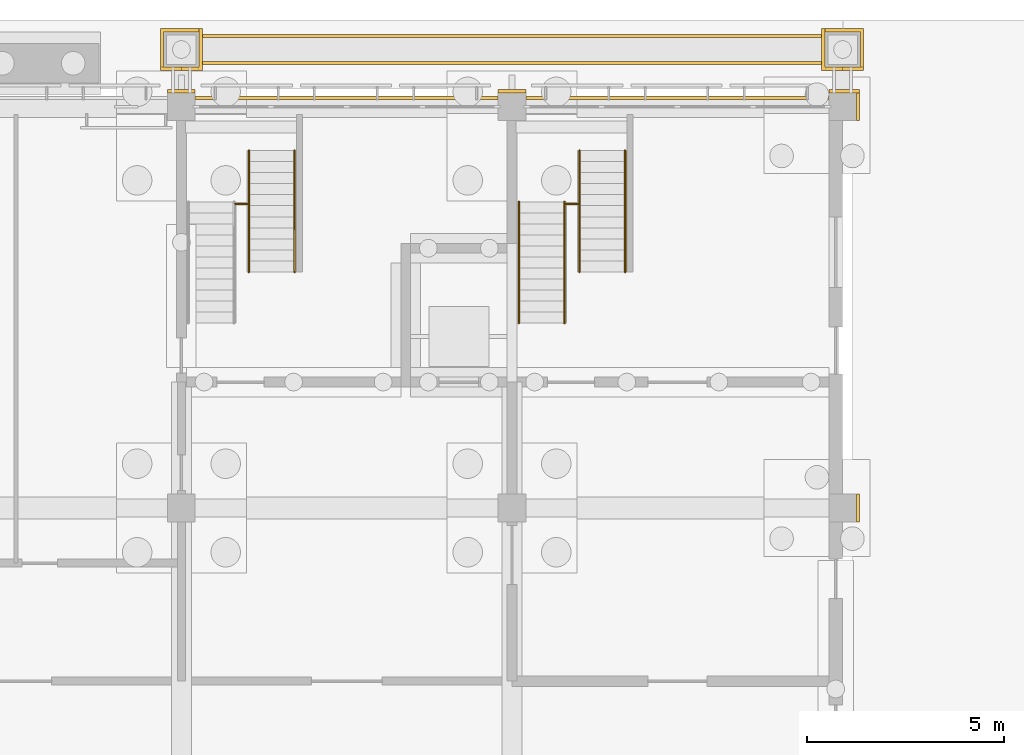
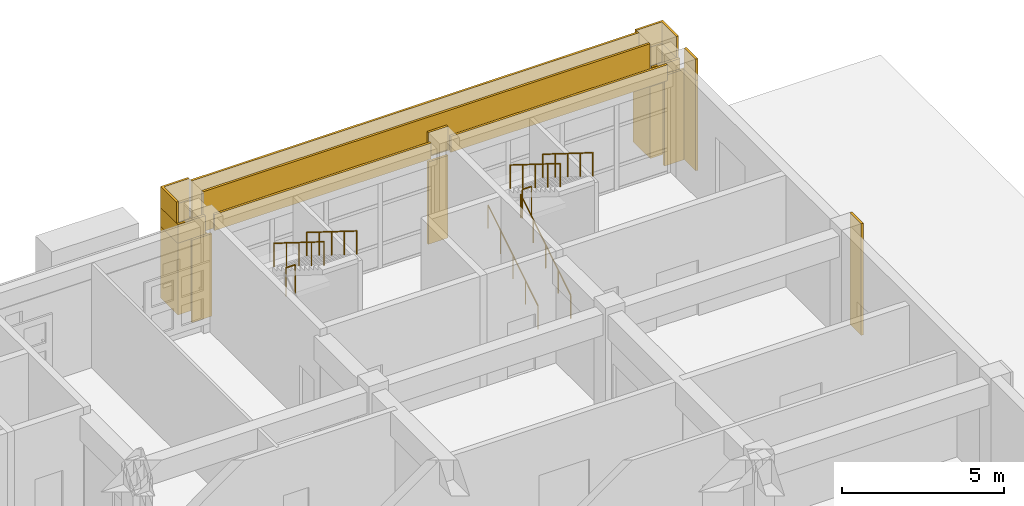
# One storey, part 106 of 112: 18 coverings, 8 railings.
"""IFC4 building model written with IfcOpenShell, lengths in metres."""

import ifcopenshell
import ifcopenshell.guid

model = None  # the IFC model being written
_history = None  # IfcOwnerHistory: only IFC2X3 demands one
_inside = {}  # id of a spatial element -> (the spatial element, [elements in it])
_under = {}  # id of a project, library or spatial element -> (it, [spatial elements below it])
_declared = {}  # id of a project -> (the project, [libraries it declares])
_typed = {}  # id of a type object -> (the type object, [elements of that type])
_made_of = {}  # id of a material, layer set ... -> (it, [elements and type objects made of it])


def new_model(schema):
    """Start an empty IFC model of exactly this schema.

    Asked for "IFC4X3", IfcOpenShell would pick the latest addendum, in which some entities
    have other attributes; the version numbers below select the first issue.
    IFC2X3 requires an IfcOwnerHistory on every rooted entity: one is made here for all.
    """
    global model, _history
    if schema == "IFC4X3":
        model = ifcopenshell.file(schema_version=(4, 3, 0, 0))
    else:
        model = ifcopenshell.file(schema=schema)
    _inside.clear()
    _under.clear()
    _declared.clear()
    _typed.clear()
    _made_of.clear()
    _history = None
    if model.schema == "IFC2X3":
        org = make("IfcOrganization", Name="unknown")
        user = make(
            "IfcPersonAndOrganization",
            ThePerson=make("IfcPerson", FamilyName="unknown"),
            TheOrganization=org,
        )
        app = make(
            "IfcApplication",
            ApplicationDeveloper=org,
            Version="unknown",
            ApplicationFullName="unknown",
            ApplicationIdentifier="unknown",
        )
        _history = make(
            "IfcOwnerHistory",
            OwningUser=user,
            OwningApplication=app,
            ChangeAction="ADDED",
            CreationDate=0,
        )
    return model


def make(cls, **values):
    """One entity of the class cls with the attributes given. An attribute that is None is left unset."""
    return model.create_entity(
        cls, **{name: value for name, value in values.items() if value is not None}
    )


def rooted(cls, **values):
    """An entity with a GlobalId (a new one), such as an element, a storey or a relation."""
    return make(cls, GlobalId=ifcopenshell.guid.new(), OwnerHistory=_history, **values)


def si_unit(unit_type, name, prefix=None):
    """IfcSIUnit, for example si_unit("LENGTHUNIT", "METRE", prefix="MILLI")."""
    return make("IfcSIUnit", UnitType=unit_type, Prefix=prefix, Name=name)


def assignment(units):
    """IfcUnitAssignment: the units of a project."""
    return None if units is None else make("IfcUnitAssignment", Units=units)


def point(xyz):
    """IfcCartesianPoint."""
    return None if xyz is None else make("IfcCartesianPoint", Coordinates=xyz)


def direction(xyz):
    """IfcDirection."""
    return None if xyz is None else make("IfcDirection", DirectionRatios=xyz)


def frame(location, z_axis=None, x_axis=None):
    """IfcAxis2Placement3D, a coordinate frame: its origin and axes. An axis left out is left unset."""
    return make(
        "IfcAxis2Placement3D",
        Location=point(location),
        Axis=direction(z_axis),
        RefDirection=direction(x_axis),
    )


def frame_2d(location, x_axis=None):
    """IfcAxis2Placement2D, a coordinate frame in the plane: its origin and x axis."""
    return make(
        "IfcAxis2Placement2D", Location=point(location), RefDirection=direction(x_axis)
    )


def origin():
    """The frame at (0, 0, 0) with its axes left unset."""
    return frame((0.0, 0.0, 0.0))


def origin_2d():
    """The frame at (0, 0) in the plane with its x axis left unset."""
    return frame_2d((0.0, 0.0))


def place(relative_to, where):
    """IfcLocalPlacement: puts the frame where relative to a parent placement (None: the world)."""
    return make(
        "IfcLocalPlacement", PlacementRelTo=relative_to, RelativePlacement=where
    )


def context(
    kind, dimensions, precision=None, world=None, true_north=None, identifier=None
):
    """IfcGeometricRepresentationContext, for example the 3D "Model" context."""
    return make(
        "IfcGeometricRepresentationContext",
        ContextIdentifier=identifier,
        ContextType=kind,
        CoordinateSpaceDimension=dimensions,
        Precision=precision,
        WorldCoordinateSystem=world,
        TrueNorth=true_north,
    )


def subcontext(parent, identifier, kind, view, scale=None):
    """IfcGeometricRepresentationSubContext, for example "Body" below "Model"."""
    return make(
        "IfcGeometricRepresentationSubContext",
        ContextIdentifier=identifier,
        ContextType=kind,
        ParentContext=parent,
        TargetScale=scale,
        TargetView=view,
    )


def project(units=None, contexts=None):
    """IfcProject with its units and contexts."""
    return rooted(
        "IfcProject",
        Name="project",
        RepresentationContexts=contexts,
        UnitsInContext=assignment(units),
    )


def spatial(cls, under=None, at=None, **own):
    """A site, building, storey or space (cls), placed at a placement, below another one or the project."""
    s = rooted(cls, ObjectPlacement=at, **own)
    if under is not None:
        _under.setdefault(under.id(), (under, []))[1].append(s)
    return s


def polyline(points):
    """IfcPolyline through the points."""
    return make("IfcPolyline", Points=[point(p) for p in points])


def profile(cls, at=None, kind="AREA", **sizes):
    """A parametric profile (cls). Its sizes go by their IFC names, for example OverallWidth=200.0."""
    return make(cls, ProfileType=kind, Position=at, **sizes)


def circle(**sizes):
    """IfcCircleProfileDef."""
    return profile("IfcCircleProfileDef", **sizes)


def outline(outer, holes=None, kind="AREA"):
    """IfcArbitraryClosedProfileDef: a profile drawn as a closed curve; with holes, ...WithVoids."""
    if holes is None:
        return make("IfcArbitraryClosedProfileDef", ProfileType=kind, OuterCurve=outer)
    return make(
        "IfcArbitraryProfileDefWithVoids",
        ProfileType=kind,
        OuterCurve=outer,
        InnerCurves=holes,
    )


def extrude(swept, where, along, depth):
    """IfcExtrudedAreaSolid: the profile swept, set in the frame where, extruded along a direction by depth."""
    return make(
        "IfcExtrudedAreaSolid",
        SweptArea=swept,
        Position=where,
        ExtrudedDirection=direction(along),
        Depth=depth,
    )


def shape(context_of_items, identifier, shape_type, items):
    """IfcShapeRepresentation: the items that make up one representation, for example the "Body"."""
    return make(
        "IfcShapeRepresentation",
        ContextOfItems=context_of_items,
        RepresentationIdentifier=identifier,
        RepresentationType=shape_type,
        Items=items,
    )


def material(Name=None, Category=None):
    """IfcMaterial."""
    return make("IfcMaterial", Name=Name, Category=Category)


def layer(
    of_material, thickness, ventilated=None, Name=None, Category=None, Priority=None
):
    """IfcMaterialLayer: one layer of a wall or slab, of a material (None: an air gap)."""
    return make(
        "IfcMaterialLayer",
        Material=of_material,
        LayerThickness=thickness,
        IsVentilated=ventilated,
        Name=Name,
        Category=Category,
        Priority=Priority,
    )


def layer_set(layers, Name=None):
    """IfcMaterialLayerSet."""
    return make("IfcMaterialLayerSet", MaterialLayers=layers, LayerSetName=Name)


def made_of(thing, what):
    """Note that an element or type object is made of a material, layer set ...; save() writes the relation."""
    if what is not None:
        _made_of.setdefault(what.id(), (what, []))[1].append(thing)
    return thing


def type_object(cls, material=None, **own):
    """A type object (cls), such as IfcWallType, which elements share."""
    return made_of(rooted(cls, **own), material)


def element(
    cls,
    number,
    at=None,
    inside=None,
    cuts=None,
    type_object=None,
    material=None,
    context=None,
    identifier="Body",
    shape_type=None,
    held_by="IfcProductDefinitionShape",
    body=None,
    shapes=None,
    **own,
):
    """One element of the class cls, such as IfcWall. Its Tag is "e" and its number.

    at: its placement. inside: the storey or other place that contains it. cuts: it is an
    opening in that element (IfcRelVoidsElement). A single representation is given by context,
    identifier, shape_type and body (its items); several are given by shapes. held_by: the class
    of the entity that holds the representations. save() writes the other relations.
    """
    e = rooted(cls, Tag="e%d" % number, ObjectPlacement=at, **own)
    if body is not None:
        shapes = [shape(context, identifier, shape_type, body)]
    if shapes is not None:
        e.Representation = make(held_by, Representations=shapes)
    if inside is not None:
        _inside.setdefault(inside.id(), (inside, []))[1].append(e)
    if cuts is not None:
        rooted(
            "IfcRelVoidsElement", RelatingBuildingElement=cuts, RelatedOpeningElement=e
        )
    if type_object is not None:
        _typed.setdefault(type_object.id(), (type_object, []))[1].append(e)
    return made_of(e, material)


def aggregate(whole, parts):
    """IfcRelAggregates: a whole, such as a stair, and the parts it consists of."""
    return rooted("IfcRelAggregates", RelatingObject=whole, RelatedObjects=parts)


def save(model, path):
    """Write the relations noted so far, then the file.

    IfcRelAggregates (storeys below a building ...), IfcRelContainedInSpatialStructure (elements
    in a storey), IfcRelDefinesByType, IfcRelAssociatesMaterial and IfcRelDeclares: one each for
    every whole, place, type object, material and project.
    """
    for whole, parts in _under.values():
        aggregate(whole, parts)
    for where, things in _inside.values():
        rooted(
            "IfcRelContainedInSpatialStructure",
            RelatedElements=things,
            RelatingStructure=where,
        )
    for kind, things in _typed.values():
        rooted("IfcRelDefinesByType", RelatedObjects=things, RelatingType=kind)
    for what, things in _made_of.values():
        rooted("IfcRelAssociatesMaterial", RelatedObjects=things, RelatingMaterial=what)
    for by, libraries in _declared.values():
        rooted("IfcRelDeclares", RelatingContext=by, RelatedDefinitions=libraries)
    model.write(path)


model = new_model("IFC4")

# Units and contexts
model_context = context("Model", 3, precision=1e-05, world=origin(), true_north=direction((0.0, 1.0)))
body_context = subcontext(model_context, "Body", "Model", "MODEL_VIEW")
ifc_project = project(units=[si_unit("LENGTHUNIT", "METRE"), si_unit("AREAUNIT", "SQUARE_METRE"), si_unit("VOLUMEUNIT", "CUBIC_METRE"), si_unit("PLANEANGLEUNIT", "RADIAN"), si_unit("MASSUNIT", "GRAM", prefix="KILO")], contexts=[model_context])

# Site, building, storey
site_placement = place(None, origin())
site = spatial("IfcSite", under=ifc_project, at=site_placement, CompositionType="ELEMENT")
building_placement = place(site_placement, origin())
building = spatial("IfcBuilding", under=site, at=building_placement, Name="Wasatch Bagh Community Centre", CompositionType="ELEMENT")
storey_placement = place(building_placement, origin())
storey = spatial("IfcBuildingStorey", under=building, at=storey_placement, Name="L00", CompositionType="ELEMENT", Elevation=0.0)

# Coverings
ifc_material_1 = material(Name="Cast stone cladding", Category="masonry")
ifc_layer_1 = layer(ifc_material_1, 0.080078125)
ifc_layer_set_1 = layer_set([ifc_layer_1], Name="Cast stone cladding")
covering_type_1 = type_object("IfcCoveringType", Name="CL-B7 beam facing", PredefinedType="CLADDING", material=ifc_layer_set_1)
covering_1_placement = place(storey_placement, frame((0.0, 0.0, 3.320068359375)))
element("IfcCovering", 1, at=covering_1_placement, inside=storey, type_object=covering_type_1, Name="Beam facing", PredefinedType="CLADDING", context=body_context, shape_type="SweptSolid", body=[
    extrude(outline(polyline([(123.14990234375, 97.97509765625), (130.85009765625, 97.97509765625), (130.85009765625, 98.054931640625), (123.14990234375, 98.054931640625), (123.14990234375, 97.97509765625)])), origin(), (0.0, 0.0, 1.0), 0.599853515625),
])
covering_2_placement = place(storey_placement, frame((0.0, 0.0, 3.320068359375)))
element("IfcCovering", 2, at=covering_2_placement, inside=storey, type_object=covering_type_1, Name="Beam facing", PredefinedType="CLADDING", context=body_context, shape_type="SweptSolid", body=[
    extrude(outline(polyline([(131.550048828125, 97.97509765625), (139.25, 97.97509765625), (139.25, 98.054931640625), (131.550048828125, 98.054931640625), (131.550048828125, 97.97509765625)])), origin(), (0.0, 0.0, 1.0), 0.599853515625),
])
covering_3_placement = place(storey_placement, frame((0.0, 0.0, 2.699951171875)))
element("IfcCovering", 3, at=covering_3_placement, inside=storey, type_object=covering_type_1, Name="Beam facing", PredefinedType="CLADDING", context=body_context, shape_type="SweptSolid", body=[
    extrude(outline(polyline([(123.25, 99.550048828125), (139.14990234375, 99.550048828125), (139.14990234375, 99.6298828125), (123.25, 99.6298828125), (123.25, 99.550048828125)])), origin(), (0.0, 0.0, 1.0), 1.5),
])
covering_4_placement = place(storey_placement, frame((0.0, 0.0, 2.699951171875)))
element("IfcCovering", 4, at=covering_4_placement, inside=storey, type_object=covering_type_1, Name="Beam facing", PredefinedType="CLADDING", context=body_context, shape_type="SweptSolid", body=[
    extrude(outline(polyline([(123.25, 98.949951171875), (139.14990234375, 98.949951171875), (139.14990234375, 98.8701171875), (123.25, 98.8701171875), (123.25, 98.949951171875)])), origin(), (0.0, 0.0, 1.0), 1.5),
])
ifc_layer_2 = layer(ifc_material_1, 0.080078125)
ifc_layer_set_2 = layer_set([ifc_layer_2], Name="Cast stone cladding")
covering_type_2 = type_object("IfcCoveringType", Name="CL-C1 column facing", PredefinedType="CLADDING", material=ifc_layer_set_2)
covering_5_placement = place(storey_placement, origin())
element("IfcCovering", 5, at=covering_5_placement, inside=storey, type_object=covering_type_2, Name="Column facing", PredefinedType="CLADDING", context=body_context, shape_type="SweptSolid", body=[
    extrude(outline(polyline([(122.800048828125, 99.780029296875), (122.800048828125, 99.699951171875), (122.35009765625, 99.699951171875), (122.35009765625, 98.800048828125), (122.800048828125, 98.800048828125), (122.800048828125, 98.719970703125), (122.27001953125, 98.719970703125), (122.27001953125, 99.780029296875), (122.800048828125, 99.780029296875)])), origin(), (0.0, 0.0, 1.0), 2.699951171875),
])
covering_6_placement = place(storey_placement, origin())
element("IfcCovering", 6, at=covering_6_placement, inside=storey, type_object=covering_type_2, Name="Column facing", PredefinedType="CLADDING", context=body_context, shape_type="SweptSolid", body=[
    extrude(outline(polyline([(123.330078125, 99.780029296875), (123.330078125, 98.719970703125), (122.800048828125, 98.719970703125), (122.800048828125, 98.800048828125), (123.25, 98.800048828125), (123.25, 99.699951171875), (122.800048828125, 99.699951171875), (122.800048828125, 99.780029296875), (123.330078125, 99.780029296875)])), origin(), (0.0, 0.0, 1.0), 2.699951171875),
])
covering_7_placement = place(storey_placement, frame((0.0, 0.0, 2.699951171875)))
element("IfcCovering", 7, at=covering_7_placement, inside=storey, type_object=covering_type_2, Name="Column facing", PredefinedType="CLADDING", context=body_context, shape_type="SweptSolid", body=[
    extrude(outline(polyline([(122.27001953125, 98.719970703125), (122.27001953125, 99.780029296875), (123.25, 99.780029296875), (123.25, 99.699951171875), (122.35009765625, 99.699951171875), (122.35009765625, 98.800048828125), (123.25, 98.800048828125), (123.25, 98.719970703125), (122.27001953125, 98.719970703125)])), origin(), (0.0, 0.0, 1.0), 0.699951171875),
])
covering_8_placement = place(storey_placement, frame((0.0, 0.0, 3.39990234375)))
element("IfcCovering", 8, at=covering_8_placement, inside=storey, type_object=covering_type_2, Name="Column facing", PredefinedType="CLADDING", context=body_context, shape_type="SweptSolid", body=[
    extrude(outline(polyline([(122.35009765625, 98.800048828125), (122.27001953125, 98.800048828125), (122.27001953125, 99.780029296875), (123.25, 99.780029296875), (123.25, 99.699951171875), (122.35009765625, 99.699951171875), (122.35009765625, 98.800048828125)])), origin(), (0.0, 0.0, 1.0), 0.800048828125),
])
covering_9_placement = place(storey_placement, origin())
element("IfcCovering", 9, at=covering_9_placement, inside=storey, type_object=covering_type_2, Name="Column facing", PredefinedType="CLADDING", context=body_context, shape_type="SweptSolid", body=[
    extrude(outline(polyline([(139.60009765625, 99.780029296875), (139.60009765625, 99.699951171875), (139.14990234375, 99.699951171875), (139.14990234375, 98.800048828125), (139.60009765625, 98.800048828125), (139.60009765625, 98.719970703125), (139.070068359375, 98.719970703125), (139.070068359375, 99.780029296875), (139.60009765625, 99.780029296875)])), origin(), (0.0, 0.0, 1.0), 2.699951171875),
])
covering_10_placement = place(storey_placement, origin())
element("IfcCovering", 10, at=covering_10_placement, inside=storey, type_object=covering_type_2, Name="Column facing", PredefinedType="CLADDING", context=body_context, shape_type="SweptSolid", body=[
    extrude(outline(polyline([(140.1298828125, 99.780029296875), (140.1298828125, 99.699951171875), (140.1298828125, 98.800048828125), (140.1298828125, 98.719970703125), (139.60009765625, 98.719970703125), (139.60009765625, 98.800048828125), (140.050048828125, 98.800048828125), (140.050048828125, 99.699951171875), (139.60009765625, 99.699951171875), (139.60009765625, 99.780029296875), (140.1298828125, 99.780029296875)])), origin(), (0.0, 0.0, 1.0), 2.699951171875),
])
covering_11_placement = place(storey_placement, frame((0.0, 0.0, 2.699951171875)))
element("IfcCovering", 11, at=covering_11_placement, inside=storey, type_object=covering_type_2, Name="Column facing", PredefinedType="CLADDING", context=body_context, shape_type="SweptSolid", body=[
    extrude(outline(polyline([(140.1298828125, 98.800048828125), (140.1298828125, 98.719970703125), (139.14990234375, 98.719970703125), (139.14990234375, 98.800048828125), (140.050048828125, 98.800048828125), (140.050048828125, 99.699951171875), (139.14990234375, 99.699951171875), (139.14990234375, 99.780029296875), (140.1298828125, 99.780029296875), (140.1298828125, 99.699951171875), (140.1298828125, 98.800048828125)])), origin(), (0.0, 0.0, 1.0), 0.699951171875),
])
covering_12_placement = place(storey_placement, frame((0.0, 0.0, 3.39990234375)))
element("IfcCovering", 12, at=covering_12_placement, inside=storey, type_object=covering_type_2, Name="Column facing", PredefinedType="CLADDING", context=body_context, shape_type="SweptSolid", body=[
    extrude(outline(polyline([(140.050048828125, 99.699951171875), (139.14990234375, 99.699951171875), (139.14990234375, 99.780029296875), (140.1298828125, 99.780029296875), (140.1298828125, 99.699951171875), (140.1298828125, 98.800048828125), (140.050048828125, 98.800048828125), (140.050048828125, 99.699951171875)])), origin(), (0.0, 0.0, 1.0), 0.800048828125),
])
covering_13_placement = place(storey_placement, origin())
element("IfcCovering", 13, at=covering_13_placement, inside=storey, type_object=covering_type_2, Name="Column facing", PredefinedType="CLADDING", context=body_context, shape_type="SweptSolid", body=[
    extrude(outline(polyline([(139.949951171875, 87.25), (139.949951171875, 87.949951171875), (140.030029296875, 87.949951171875), (140.030029296875, 87.25), (139.949951171875, 87.25)])), origin(), (0.0, 0.0, 1.0), 4.199951171875),
])
covering_14_placement = place(storey_placement, origin())
element("IfcCovering", 14, at=covering_14_placement, inside=storey, type_object=covering_type_2, Name="Column facing", PredefinedType="CLADDING", context=body_context, shape_type="SweptSolid", body=[
    extrude(outline(polyline([(123.14990234375, 98.14990234375), (122.449951171875, 98.14990234375), (122.449951171875, 98.22998046875), (123.14990234375, 98.22998046875), (123.14990234375, 98.14990234375)])), origin(), (0.0, 0.0, 1.0), 3.10009765625),
])
covering_15_placement = place(storey_placement, origin())
element("IfcCovering", 15, at=covering_15_placement, inside=storey, type_object=covering_type_2, Name="Column facing", PredefinedType="CLADDING", context=body_context, shape_type="SweptSolid", body=[
    extrude(outline(polyline([(131.550048828125, 98.14990234375), (130.85009765625, 98.14990234375), (130.85009765625, 98.22998046875), (131.550048828125, 98.22998046875), (131.550048828125, 98.14990234375)])), origin(), (0.0, 0.0, 1.0), 3.10009765625),
])
covering_16_placement = place(storey_placement, frame((0.0, 0.0, 3.320068359375)))
element("IfcCovering", 16, at=covering_16_placement, inside=storey, type_object=covering_type_2, Name="Column facing", PredefinedType="CLADDING", context=body_context, shape_type="SweptSolid", body=[
    extrude(outline(polyline([(131.550048828125, 98.14990234375), (130.85009765625, 98.14990234375), (130.85009765625, 98.22998046875), (131.550048828125, 98.22998046875), (131.550048828125, 98.14990234375)])), origin(), (0.0, 0.0, 1.0), 0.8798828125),
])
covering_17_placement = place(storey_placement, origin())
element("IfcCovering", 17, at=covering_17_placement, inside=storey, type_object=covering_type_2, Name="Column facing", PredefinedType="CLADDING", context=body_context, shape_type="SweptSolid", body=[
    extrude(outline(polyline([(139.949951171875, 98.14990234375), (139.25, 98.14990234375), (139.25, 98.22998046875), (140.030029296875, 98.22998046875), (140.030029296875, 98.14990234375), (140.030029296875, 97.449951171875), (139.949951171875, 97.449951171875), (139.949951171875, 98.14990234375)])), origin(), (0.0, 0.0, 1.0), 3.39990234375),
])
covering_18_placement = place(storey_placement, frame((0.0, 0.0, 3.39990234375)))
element("IfcCovering", 18, at=covering_18_placement, inside=storey, type_object=covering_type_2, Name="Column facing", PredefinedType="CLADDING", context=body_context, shape_type="SweptSolid", body=[
    extrude(outline(polyline([(139.949951171875, 97.449951171875), (139.949951171875, 98.14990234375), (140.030029296875, 98.14990234375), (140.030029296875, 97.449951171875), (139.949951171875, 97.449951171875)])), origin(), (0.0, 0.0, 1.0), 0.800048828125),
])

# Railings
ifc_material_2 = material(Name="Painted steel with jali infill", Category="steel")
railing_type_1 = type_object("IfcRailingType", Name="LW guard 1100", PredefinedType="GUARDRAIL", material=ifc_material_2)
railing_1_placement = place(storey_placement, frame((124.159912109375, 95.330078125, 2.10009765625)))
element("IfcRailing", 19, at=railing_1_placement, inside=storey, type_object=railing_type_1, Name="Guard C3", PredefinedType="GUARDRAIL", context=body_context, shape_type="SweptSolid", body=[
    extrude(circle(Radius=0.02490234375, at=origin_2d()), frame((0.0, 0.0, 1.0751953125), z_axis=(1.0, 0.0, 0.0), x_axis=(0.0, 1.0, 0.0)), (0.0, 0.0, 1.0), 0.330078125),
    extrude(circle(Radius=0.02001953125, at=origin_2d()), origin(), (0.0, 0.0, 1.0), 1.050048828125),
    extrude(circle(Radius=0.02001953125, at=origin_2d()), frame((0.330078125, 0.0, 0.0)), (0.0, 0.0, 1.0), 1.050048828125),
])
railing_2_placement = place(storey_placement, frame((132.56005859375, 95.330078125, 2.10009765625)))
element("IfcRailing", 20, at=railing_2_placement, inside=storey, type_object=railing_type_1, Name="Guard ES", PredefinedType="GUARDRAIL", context=body_context, shape_type="SweptSolid", body=[
    extrude(circle(Radius=0.02490234375, at=origin_2d()), frame((0.0, 0.0, 1.0751953125), z_axis=(1.0, 0.0, 0.0), x_axis=(0.0, 1.0, 0.0)), (0.0, 0.0, 1.0), 0.329833984375),
    extrude(circle(Radius=0.02001953125, at=origin_2d()), origin(), (0.0, 0.0, 1.0), 1.050048828125),
    extrude(circle(Radius=0.02001953125, at=origin_2d()), frame((0.329833984375, 0.0, 0.0)), (0.0, 0.0, 1.0), 1.050048828125),
])
ifc_material_3 = material(Name="Painted steel tube", Category="steel")
railing_type_2 = type_object("IfcRailingType", Name="LW stair handrail 900", PredefinedType="HANDRAIL", material=ifc_material_3)
for number, where, name in (
    (21, (124.514892578125, 96.679931640625, 2.27490234375), "Handrail C3"),
    (22, (125.675048828125, 96.679931640625, 2.27490234375), "Handrail C3"),
):
    element("IfcRailing", number, at=place(storey_placement, frame(where)), inside=storey, type_object=railing_type_2, Name=name, PredefinedType="HANDRAIL", context=body_context, shape_type="SweptSolid", body=[
        extrude(circle(Radius=0.0224609375, at=origin_2d()), frame((0.0, 0.0, 0.87744140625), z_axis=(0.0, -0.847979421464, 0.530029150871), x_axis=(1.0, 0.0, 0.0)), (0.0, 0.0, 1.0), 3.632080078125),
        extrude(circle(Radius=0.02001953125, at=origin_2d()), origin(), (0.0, 0.0, 1.0), 0.85498046875),
        extrude(circle(Radius=0.02001953125, at=origin_2d()), frame((0.0, -0.77001953125, 0.481201171875)), (0.0, 0.0, 1.0), 0.85498046875),
        extrude(circle(Radius=0.02001953125, at=origin_2d()), frame((0.0, -1.5400390625, 0.96240234375)), (0.0, 0.0, 1.0), 0.85498046875),
        extrude(circle(Radius=0.02001953125, at=origin_2d()), frame((0.0, -2.309814453125, 1.44384765625)), (0.0, 0.0, 1.0), 0.85498046875),
        extrude(circle(Radius=0.02001953125, at=origin_2d()), frame((0.0, -3.079833984375, 1.925048828125)), (0.0, 0.0, 1.0), 0.85498046875),
    ])
for number, where, name in (
    (23, (131.375, 92.300048828125, 0.175048828125), "Handrail ES"),
    (24, (132.534912109375, 92.300048828125, 0.175048828125), "Handrail ES"),
):
    element("IfcRailing", number, at=place(storey_placement, frame(where)), inside=storey, type_object=railing_type_2, Name=name, PredefinedType="HANDRAIL", context=body_context, shape_type="SweptSolid", body=[
        extrude(circle(Radius=0.0224609375, at=origin_2d()), frame((0.0, 0.0, 0.87744140625), z_axis=(0.0, 0.847979421464, 0.530029150871), x_axis=(-1.0, 0.0, 0.0)), (0.0, 0.0, 1.0), 3.632080078125),
        extrude(circle(Radius=0.02001953125, at=origin_2d()), origin(), (0.0, 0.0, 1.0), 0.85498046875),
        extrude(circle(Radius=0.02001953125, at=origin_2d()), frame((0.0, 0.77001953125, 0.481201171875)), (0.0, 0.0, 1.0), 0.85498046875),
        extrude(circle(Radius=0.02001953125, at=origin_2d()), frame((0.0, 1.5400390625, 0.96240234375)), (0.0, 0.0, 1.0), 0.85498046875),
        extrude(circle(Radius=0.02001953125, at=origin_2d()), frame((0.0, 2.309814453125, 1.44384765625)), (0.0, 0.0, 1.0), 0.85498046875),
        extrude(circle(Radius=0.02001953125, at=origin_2d()), frame((0.0, 3.079833984375, 1.925048828125)), (0.0, 0.0, 1.0), 0.85498046875),
    ])
for number, where, name in (
    (25, (132.9150390625, 96.679931640625, 2.27490234375), "Handrail ES"),
    (26, (134.074951171875, 96.679931640625, 2.27490234375), "Handrail ES"),
):
    element("IfcRailing", number, at=place(storey_placement, frame(where)), inside=storey, type_object=railing_type_2, Name=name, PredefinedType="HANDRAIL", context=body_context, shape_type="SweptSolid", body=[
        extrude(circle(Radius=0.0224609375, at=origin_2d()), frame((0.0, 0.0, 0.87744140625), z_axis=(0.0, -0.847979421464, 0.530029150871), x_axis=(1.0, 0.0, 0.0)), (0.0, 0.0, 1.0), 3.632080078125),
        extrude(circle(Radius=0.02001953125, at=origin_2d()), origin(), (0.0, 0.0, 1.0), 0.85498046875),
        extrude(circle(Radius=0.02001953125, at=origin_2d()), frame((0.0, -0.77001953125, 0.481201171875)), (0.0, 0.0, 1.0), 0.85498046875),
        extrude(circle(Radius=0.02001953125, at=origin_2d()), frame((0.0, -1.5400390625, 0.96240234375)), (0.0, 0.0, 1.0), 0.85498046875),
        extrude(circle(Radius=0.02001953125, at=origin_2d()), frame((0.0, -2.309814453125, 1.44384765625)), (0.0, 0.0, 1.0), 0.85498046875),
        extrude(circle(Radius=0.02001953125, at=origin_2d()), frame((0.0, -3.079833984375, 1.925048828125)), (0.0, 0.0, 1.0), 0.85498046875),
    ])

save(model, "model.ifc")
